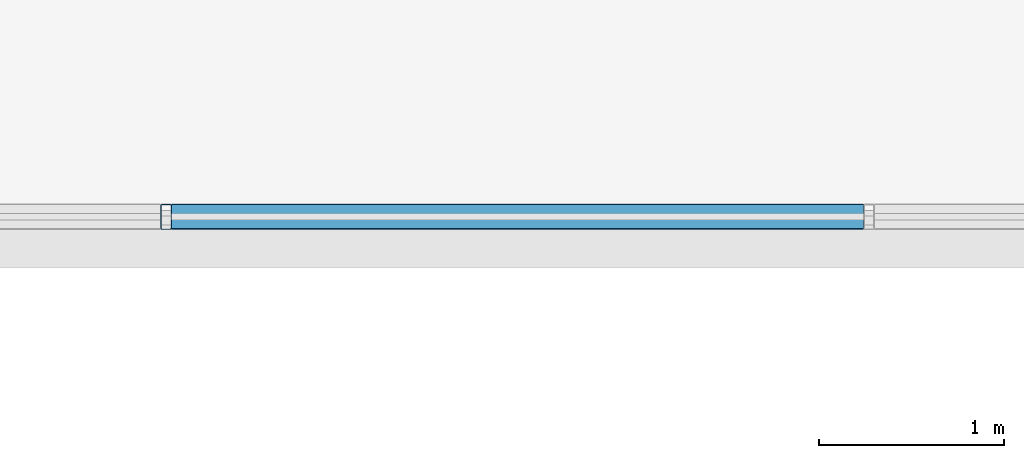
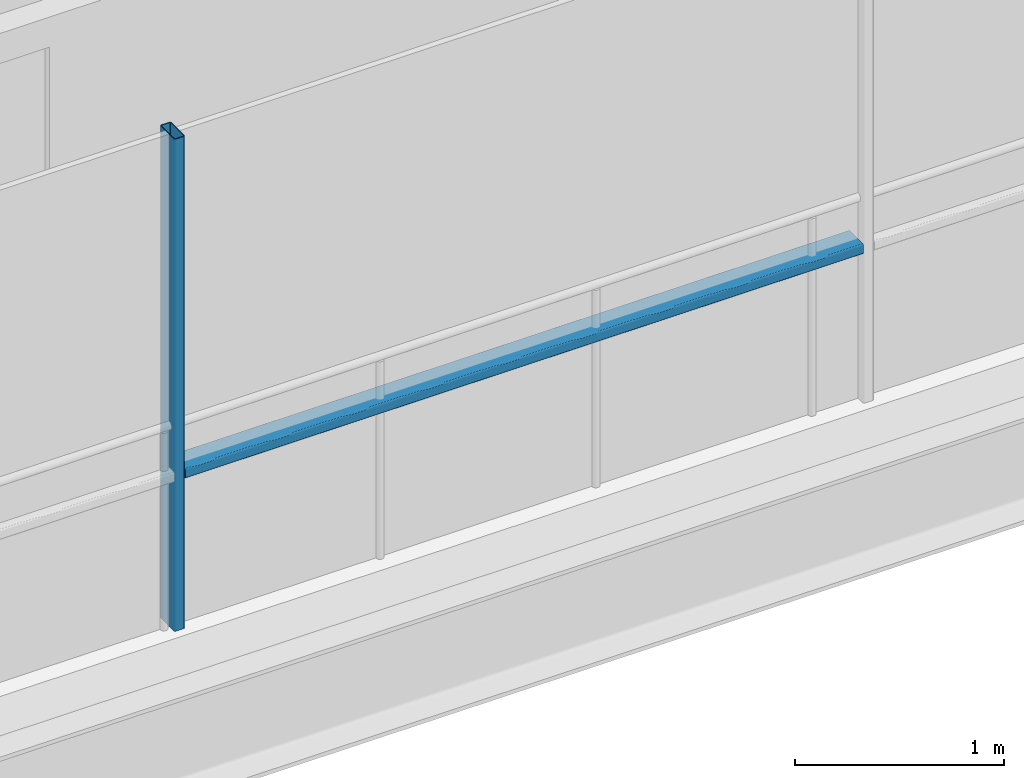
# One storey, part 11 of 41: 2 members, 1 element without a shape of its own.
"""IFC4 building model written with IfcOpenShell, lengths in metres."""

import ifcopenshell
import ifcopenshell.guid

model = None  # the IFC model being written
_history = None  # IfcOwnerHistory: only IFC2X3 demands one
_inside = {}  # id of a spatial element -> (the spatial element, [elements in it])
_under = {}  # id of a project, library or spatial element -> (it, [spatial elements below it])
_declared = {}  # id of a project -> (the project, [libraries it declares])
_typed = {}  # id of a type object -> (the type object, [elements of that type])
_made_of = {}  # id of a material, layer set ... -> (it, [elements and type objects made of it])


def new_model(schema):
    """Start an empty IFC model of exactly this schema.

    Asked for "IFC4X3", IfcOpenShell would pick the latest addendum, in which some entities
    have other attributes; the version numbers below select the first issue.
    IFC2X3 requires an IfcOwnerHistory on every rooted entity: one is made here for all.
    """
    global model, _history
    if schema == "IFC4X3":
        model = ifcopenshell.file(schema_version=(4, 3, 0, 0))
    else:
        model = ifcopenshell.file(schema=schema)
    _inside.clear()
    _under.clear()
    _declared.clear()
    _typed.clear()
    _made_of.clear()
    _history = None
    if model.schema == "IFC2X3":
        org = make("IfcOrganization", Name="unknown")
        user = make(
            "IfcPersonAndOrganization",
            ThePerson=make("IfcPerson", FamilyName="unknown"),
            TheOrganization=org,
        )
        app = make(
            "IfcApplication",
            ApplicationDeveloper=org,
            Version="unknown",
            ApplicationFullName="unknown",
            ApplicationIdentifier="unknown",
        )
        _history = make(
            "IfcOwnerHistory",
            OwningUser=user,
            OwningApplication=app,
            ChangeAction="ADDED",
            CreationDate=0,
        )
    return model


def make(cls, **values):
    """One entity of the class cls with the attributes given. An attribute that is None is left unset."""
    return model.create_entity(
        cls, **{name: value for name, value in values.items() if value is not None}
    )


def rooted(cls, **values):
    """An entity with a GlobalId (a new one), such as an element, a storey or a relation."""
    return make(cls, GlobalId=ifcopenshell.guid.new(), OwnerHistory=_history, **values)


def si_unit(unit_type, name, prefix=None):
    """IfcSIUnit, for example si_unit("LENGTHUNIT", "METRE", prefix="MILLI")."""
    return make("IfcSIUnit", UnitType=unit_type, Prefix=prefix, Name=name)


def assignment(units):
    """IfcUnitAssignment: the units of a project."""
    return None if units is None else make("IfcUnitAssignment", Units=units)


def point(xyz):
    """IfcCartesianPoint."""
    return None if xyz is None else make("IfcCartesianPoint", Coordinates=xyz)


def direction(xyz):
    """IfcDirection."""
    return None if xyz is None else make("IfcDirection", DirectionRatios=xyz)


def frame(location, z_axis=None, x_axis=None):
    """IfcAxis2Placement3D, a coordinate frame: its origin and axes. An axis left out is left unset."""
    return make(
        "IfcAxis2Placement3D",
        Location=point(location),
        Axis=direction(z_axis),
        RefDirection=direction(x_axis),
    )


def frame_2d(location, x_axis=None):
    """IfcAxis2Placement2D, a coordinate frame in the plane: its origin and x axis."""
    return make(
        "IfcAxis2Placement2D", Location=point(location), RefDirection=direction(x_axis)
    )


def origin():
    """The frame at (0, 0, 0) with its axes left unset."""
    return frame((0.0, 0.0, 0.0))


def origin_2d():
    """The frame at (0, 0) in the plane with its x axis left unset."""
    return frame_2d((0.0, 0.0))


def place(relative_to, where):
    """IfcLocalPlacement: puts the frame where relative to a parent placement (None: the world)."""
    return make(
        "IfcLocalPlacement", PlacementRelTo=relative_to, RelativePlacement=where
    )


def context(
    kind, dimensions, precision=None, world=None, true_north=None, identifier=None
):
    """IfcGeometricRepresentationContext, for example the 3D "Model" context."""
    return make(
        "IfcGeometricRepresentationContext",
        ContextIdentifier=identifier,
        ContextType=kind,
        CoordinateSpaceDimension=dimensions,
        Precision=precision,
        WorldCoordinateSystem=world,
        TrueNorth=true_north,
    )


def subcontext(parent, identifier, kind, view, scale=None):
    """IfcGeometricRepresentationSubContext, for example "Body" below "Model"."""
    return make(
        "IfcGeometricRepresentationSubContext",
        ContextIdentifier=identifier,
        ContextType=kind,
        ParentContext=parent,
        TargetScale=scale,
        TargetView=view,
    )


def project(units=None, contexts=None):
    """IfcProject with its units and contexts."""
    return rooted(
        "IfcProject",
        Name="project",
        RepresentationContexts=contexts,
        UnitsInContext=assignment(units),
    )


def spatial(cls, under=None, at=None, **own):
    """A site, building, storey or space (cls), placed at a placement, below another one or the project."""
    s = rooted(cls, ObjectPlacement=at, **own)
    if under is not None:
        _under.setdefault(under.id(), (under, []))[1].append(s)
    return s


def profile(cls, at=None, kind="AREA", **sizes):
    """A parametric profile (cls). Its sizes go by their IFC names, for example OverallWidth=200.0."""
    return make(cls, ProfileType=kind, Position=at, **sizes)


def hollow_rectangle(**sizes):
    """IfcRectangleHollowProfileDef."""
    return profile("IfcRectangleHollowProfileDef", **sizes)


def extrude(swept, where, along, depth):
    """IfcExtrudedAreaSolid: the profile swept, set in the frame where, extruded along a direction by depth."""
    return make(
        "IfcExtrudedAreaSolid",
        SweptArea=swept,
        Position=where,
        ExtrudedDirection=direction(along),
        Depth=depth,
    )


def shape(context_of_items, identifier, shape_type, items):
    """IfcShapeRepresentation: the items that make up one representation, for example the "Body"."""
    return make(
        "IfcShapeRepresentation",
        ContextOfItems=context_of_items,
        RepresentationIdentifier=identifier,
        RepresentationType=shape_type,
        Items=items,
    )


def material(Name=None, Category=None):
    """IfcMaterial."""
    return make("IfcMaterial", Name=Name, Category=Category)


def layer(
    of_material, thickness, ventilated=None, Name=None, Category=None, Priority=None
):
    """IfcMaterialLayer: one layer of a wall or slab, of a material (None: an air gap)."""
    return make(
        "IfcMaterialLayer",
        Material=of_material,
        LayerThickness=thickness,
        IsVentilated=ventilated,
        Name=Name,
        Category=Category,
        Priority=Priority,
    )


def layer_set(layers, Name=None):
    """IfcMaterialLayerSet."""
    return make("IfcMaterialLayerSet", MaterialLayers=layers, LayerSetName=Name)


def material_profile(
    of_material, cross_section, Name=None, Category=None, Priority=None
):
    """IfcMaterialProfile: a cross section and its material."""
    return make(
        "IfcMaterialProfile",
        Name=Name,
        Material=of_material,
        Profile=cross_section,
        Priority=Priority,
        Category=Category,
    )


def profile_set(profiles, Name=None, composite=None):
    """IfcMaterialProfileSet."""
    return make(
        "IfcMaterialProfileSet",
        Name=Name,
        MaterialProfiles=profiles,
        CompositeProfile=composite,
    )


def made_of(thing, what):
    """Note that an element or type object is made of a material, layer set ...; save() writes the relation."""
    if what is not None:
        _made_of.setdefault(what.id(), (what, []))[1].append(thing)
    return thing


def type_object(cls, material=None, **own):
    """A type object (cls), such as IfcWallType, which elements share."""
    return made_of(rooted(cls, **own), material)


def element(
    cls,
    number,
    at=None,
    inside=None,
    cuts=None,
    type_object=None,
    material=None,
    context=None,
    identifier="Body",
    shape_type=None,
    held_by="IfcProductDefinitionShape",
    body=None,
    shapes=None,
    **own,
):
    """One element of the class cls, such as IfcWall. Its Tag is "e" and its number.

    at: its placement. inside: the storey or other place that contains it. cuts: it is an
    opening in that element (IfcRelVoidsElement). A single representation is given by context,
    identifier, shape_type and body (its items); several are given by shapes. held_by: the class
    of the entity that holds the representations. save() writes the other relations.
    """
    e = rooted(cls, Tag="e%d" % number, ObjectPlacement=at, **own)
    if body is not None:
        shapes = [shape(context, identifier, shape_type, body)]
    if shapes is not None:
        e.Representation = make(held_by, Representations=shapes)
    if inside is not None:
        _inside.setdefault(inside.id(), (inside, []))[1].append(e)
    if cuts is not None:
        rooted(
            "IfcRelVoidsElement", RelatingBuildingElement=cuts, RelatedOpeningElement=e
        )
    if type_object is not None:
        _typed.setdefault(type_object.id(), (type_object, []))[1].append(e)
    return made_of(e, material)


def aggregate(whole, parts):
    """IfcRelAggregates: a whole, such as a stair, and the parts it consists of."""
    return rooted("IfcRelAggregates", RelatingObject=whole, RelatedObjects=parts)


def save(model, path):
    """Write the relations noted so far, then the file.

    IfcRelAggregates (storeys below a building ...), IfcRelContainedInSpatialStructure (elements
    in a storey), IfcRelDefinesByType, IfcRelAssociatesMaterial and IfcRelDeclares: one each for
    every whole, place, type object, material and project.
    """
    for whole, parts in _under.values():
        aggregate(whole, parts)
    for where, things in _inside.values():
        rooted(
            "IfcRelContainedInSpatialStructure",
            RelatedElements=things,
            RelatingStructure=where,
        )
    for kind, things in _typed.values():
        rooted("IfcRelDefinesByType", RelatedObjects=things, RelatingType=kind)
    for what, things in _made_of.values():
        rooted("IfcRelAssociatesMaterial", RelatedObjects=things, RelatingMaterial=what)
    for by, libraries in _declared.values():
        rooted("IfcRelDeclares", RelatingContext=by, RelatedDefinitions=libraries)
    model.write(path)


model = new_model("IFC4")

# Units and contexts
model_context = context("Model", 3, precision=1e-05, world=origin(), true_north=direction((0.0, 1.0)))
body_context = subcontext(model_context, "Body", "Model", "MODEL_VIEW")
ifc_project = project(units=[si_unit("LENGTHUNIT", "METRE"), si_unit("AREAUNIT", "SQUARE_METRE"), si_unit("VOLUMEUNIT", "CUBIC_METRE"), si_unit("PLANEANGLEUNIT", "RADIAN"), si_unit("MASSUNIT", "GRAM", prefix="KILO")], contexts=[model_context])

# Site, building, storey
site_placement = place(None, origin())
site = spatial("IfcSite", under=ifc_project, at=site_placement, CompositionType="ELEMENT")
building_placement = place(site_placement, origin())
building = spatial("IfcBuilding", under=site, at=building_placement, Name="Brevholm Reach", CompositionType="ELEMENT")
storey_placement = place(building_placement, frame((0.0, 0.0, 86.89990234375)))
storey = spatial("IfcBuildingStorey", under=building, at=storey_placement, Name="L25", CompositionType="ELEMENT", Elevation=86.89990234375)

# Curtain wall, members
ifc_material_1 = material(Name="Dark Anodised Aluminium 6063-T6 and Solar-Control Glass", Category="aluminium")
ifc_layer = layer(ifc_material_1, 0.139892578125)
ifc_layer_set = layer_set([ifc_layer], Name="Dark Anodised Aluminium 6063-T6 and Solar-Control Glass")
curtain_wall_type = type_object("IfcCurtainWallType", Name="CW-02", PredefinedType="NOTDEFINED", material=ifc_layer_set)
curtain_wall_placement = place(storey_placement, origin())
curtain_wall = element("IfcCurtainWall", 1, at=curtain_wall_placement, inside=storey, type_object=curtain_wall_type, Name="L25 Curtain Wall CW-02", PredefinedType="NOTDEFINED")
ifc_material_2 = material(Name="Dark Anodised Aluminium 6063-T6", Category="aluminium")
ifc_material_profile_1 = material_profile(ifc_material_2, hollow_rectangle(XDim=0.06005859375, YDim=0.139892578125, WallThickness=0.0048828125, InnerFilletRadius=0.0048828125, OuterFilletRadius=0.010009765625, at=origin_2d()), Name="RHS 140x60x5")
ifc_profile_set_1 = profile_set([ifc_material_profile_1], Name="Dark Anodised Aluminium 6063-T6")
member_type_1 = type_object("IfcMemberType", Name="CWM-140", PredefinedType="MULLION", material=ifc_profile_set_1)
member_1_placement = place(storey_placement, frame((30.050048828125, 26.6201171875, 0.0), z_axis=(0.0, 0.0, 1.0), x_axis=(-1.0, 0.0, 0.0)))
member_1 = element("IfcMember", 2, at=member_1_placement, type_object=member_type_1, Name="CM-140 Mullion 3", PredefinedType="MULLION", context=body_context, shape_type="SweptSolid", body=[
    extrude(hollow_rectangle(XDim=0.06005859375, YDim=0.139892578125, WallThickness=0.0048828125, InnerFilletRadius=0.0048828125, OuterFilletRadius=0.010009765625, at=origin_2d()), origin(), (0.0, 0.0, 1.0), 2.8701171875),
])
ifc_material_3 = material(Name="Dark Anodised Aluminium 6063-T6", Category="aluminium")
ifc_material_profile_2 = material_profile(ifc_material_3, hollow_rectangle(XDim=0.06005859375, YDim=0.139892578125, WallThickness=0.0048828125, InnerFilletRadius=0.0048828125, OuterFilletRadius=0.010009765625, at=origin_2d()), Name="RHS 140x60x5")
ifc_profile_set_2 = profile_set([ifc_material_profile_2], Name="Dark Anodised Aluminium 6063-T6")
member_type_2 = type_object("IfcMemberType", Name="CWT-140", PredefinedType="NOTDEFINED", material=ifc_profile_set_2)
member_2_placement = place(storey_placement, frame((33.820068359375, 26.6201171875, 0.900146484375), z_axis=(-1.0, 0.0, 0.0), x_axis=(0.0, 0.0, 1.0)))
member_2 = element("IfcMember", 3, at=member_2_placement, type_object=member_type_2, Name="CT-140 Transom 2.1", ObjectType="TRANSOM", PredefinedType="USERDEFINED", context=body_context, shape_type="SweptSolid", body=[
    extrude(hollow_rectangle(XDim=0.06005859375, YDim=0.139892578125, WallThickness=0.0048828125, InnerFilletRadius=0.0048828125, OuterFilletRadius=0.010009765625, at=origin_2d()), origin(), (0.0, 0.0, 1.0), 3.739990234375),
])
aggregate(curtain_wall, [member_1, member_2])

save(model, "model.ifc")
